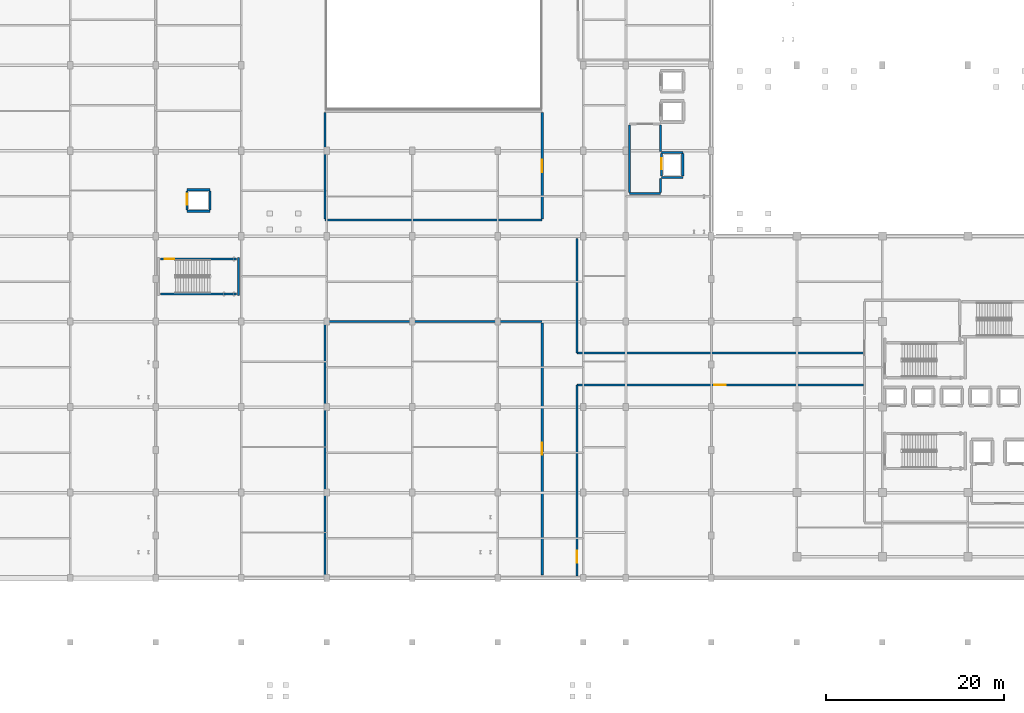
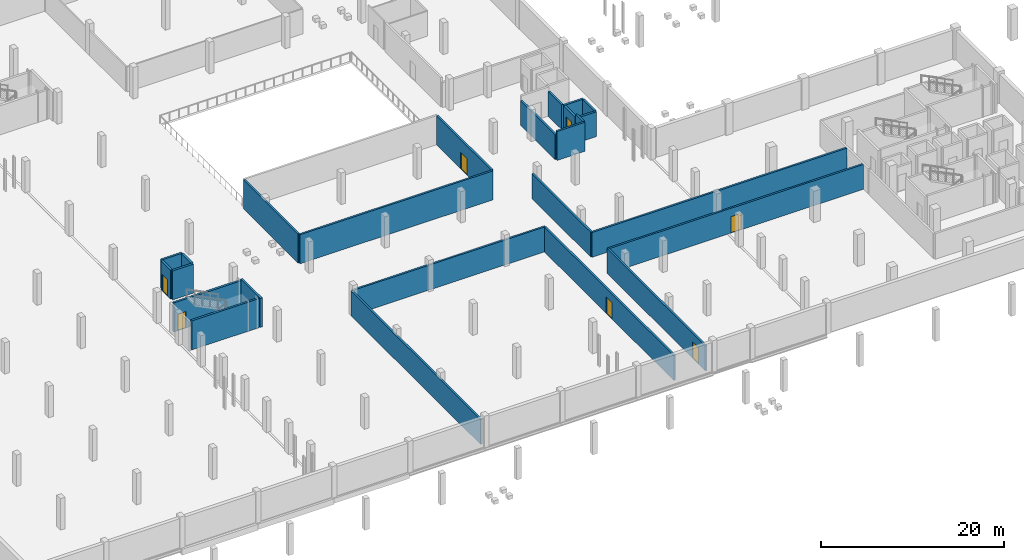
# One storey, part 31 of 47: 25 walls, 7 doors, 7 openings.
"""IFC4 building model written with IfcOpenShell, lengths in metres."""

from ifc_helpers import new_model, si_unit, direction, frame, frame_2d, origin, place, context, subcontext, project, spatial, rectangle, extrude, material, layer, layer_set, type_object, element, fill, save


model = new_model("IFC4")

# Units and contexts
model_context = context("Model", 3, precision=1e-05, world=origin(), true_north=direction((0.0, 1.0)))
body_context = subcontext(model_context, "Body", "Model", "MODEL_VIEW")
ifc_project = project(units=[si_unit("LENGTHUNIT", "METRE"), si_unit("AREAUNIT", "SQUARE_METRE"), si_unit("VOLUMEUNIT", "CUBIC_METRE"), si_unit("PLANEANGLEUNIT", "RADIAN"), si_unit("MASSUNIT", "GRAM", prefix="KILO")], contexts=[model_context])

# Site, building, storey
site_placement = place(None, origin())
site = spatial("IfcSite", under=ifc_project, at=site_placement, CompositionType="ELEMENT")
building_placement = place(site_placement, origin())
building = spatial("IfcBuilding", under=site, at=building_placement, Name="Zevrakil Square Congress Hotel", CompositionType="ELEMENT")
storey_placement = place(building_placement, frame((0.0, 0.0, -4.199951171875)))
storey = spatial("IfcBuildingStorey", under=building, at=storey_placement, Name="B1", CompositionType="ELEMENT", Elevation=-4.199951171875)

# Walls
ifc_material_1 = material(Name="Concrete C35/45", Category="concrete")
ifc_layer_1 = layer(ifc_material_1, 0.239990234375)
ifc_layer_set_1 = layer_set([ifc_layer_1], Name="Concrete C35/45")
wall_type_1 = type_object("IfcWallType", Name="WAL-COMP-240", PredefinedType="SOLIDWALL", material=ifc_layer_set_1)
wall_1_placement = place(storey_placement, frame((108.39990234375, 50.39990234375, 0.0), z_axis=(0.0, 0.0, 1.0), x_axis=(1.0, 0.0, 0.0)))
element("IfcWall", 1, at=wall_1_placement, inside=storey, type_object=wall_type_1, Name="B1 interior partition PW-B1-0026", PredefinedType="SOLIDWALL", context=body_context, shape_type="SweptSolid", body=[
    extrude(rectangle(XDim=3.5, YDim=0.239990234375, at=frame_2d((1.75, 0.0))), origin(), (0.0, 0.0, 1.0), 3.8798828125),
])
wall_2_placement = place(storey_placement, frame((108.39990234375, 50.52490234375, 0.0), z_axis=(0.0, 0.0, 1.0), x_axis=(0.0, 1.0, 0.0)))
element("IfcWall", 2, at=wall_2_placement, inside=storey, type_object=wall_type_1, Name="B1 interior partition PW-B1-0027", PredefinedType="SOLIDWALL", context=body_context, shape_type="SweptSolid", body=[
    extrude(rectangle(XDim=7.550048828125, YDim=0.239990234375, at=frame_2d((3.77490234375, 0.0))), origin(), (0.0, 0.0, 1.0), 3.324951171875),
])
wall_3_placement = place(storey_placement, frame((111.89990234375, 50.52490234375, 0.0), z_axis=(0.0, 0.0, 1.0), x_axis=(0.0, 1.0, 0.0)))
element("IfcWall", 3, at=wall_3_placement, inside=storey, type_object=wall_type_1, Name="B1 interior partition PW-B1-0029", PredefinedType="SOLIDWALL", context=body_context, shape_type="SweptSolid", body=[
    extrude(rectangle(XDim=1.55517578125, YDim=0.239990234375, at=frame_2d((0.777587890625, 0.0))), origin(), (0.0, 0.0, 1.0), 3.8798828125),
])
wall_4_placement = place(storey_placement, frame((111.89990234375, 55.1201171875, 0.0), z_axis=(0.0, 0.0, 1.0), x_axis=(0.0, 1.0, 0.0)))
element("IfcWall", 4, at=wall_4_placement, inside=storey, type_object=wall_type_1, Name="B1 interior partition PW-B1-0030", PredefinedType="SOLIDWALL", context=body_context, shape_type="SweptSolid", body=[
    extrude(rectangle(XDim=2.954833984375, YDim=0.239990234375, at=frame_2d((1.4775390625, 0.0))), origin(), (0.0, 0.0, 1.0), 3.324951171875),
])
wall_5_placement = place(storey_placement, frame((74.199951171875, 36.0, 0.0), z_axis=(0.0, 0.0, 1.0), x_axis=(1.0, 0.0, 0.0)))
element("IfcWall", 5, at=wall_5_placement, inside=storey, type_object=wall_type_1, Name="B1 interior partition PW-B1-0105", PredefinedType="SOLIDWALL", context=body_context, shape_type="SweptSolid", body=[
    extrude(rectangle(XDim=24.400146484375, YDim=0.239990234375, at=frame_2d((12.2001953125, 0.0))), origin(), (0.0, 0.0, 1.0), 3.324951171875),
])
wall_6_placement = place(storey_placement, frame((74.199951171875, 7.574951171875, 0.0), z_axis=(0.0, 0.0, 1.0), x_axis=(0.0, 1.0, 0.0)))
element("IfcWall", 6, at=wall_6_placement, inside=storey, type_object=wall_type_1, Name="B1 interior partition PW-B1-0106", PredefinedType="SOLIDWALL", context=body_context, shape_type="SweptSolid", body=[
    extrude(rectangle(XDim=28.300048828125, YDim=0.239990234375, at=frame_2d((14.14990234375, 0.0))), origin(), (0.0, 0.0, 1.0), 3.324951171875),
])

# Wall, opening, door
wall_7_placement = place(storey_placement, frame((98.60009765625, 7.574951171875, 0.0), z_axis=(0.0, 0.0, 1.0), x_axis=(0.0, 1.0, 0.0)))
wall_7 = element("IfcWall", 7, at=wall_7_placement, inside=storey, type_object=wall_type_1, Name="B1 interior partition PW-B1-0107", PredefinedType="SOLIDWALL", context=body_context, shape_type="SweptSolid", body=[
    extrude(rectangle(XDim=28.300048828125, YDim=0.239990234375, at=frame_2d((14.14990234375, 0.0))), origin(), (0.0, 0.0, 1.0), 3.324951171875),
])
opening_1_placement = place(wall_7_placement, frame((13.5, 0.0, 0.0)))
opening_1 = element("IfcOpeningElement", 8, at=opening_1_placement, cuts=wall_7, Name="Opening ID-08", PredefinedType="OPENING", context=body_context, shape_type="SweptSolid", body=[
    extrude(rectangle(XDim=1.300048828125, YDim=2.199951171875, at=frame_2d((0.64990234375, 1.10009765625))), frame((0.0, 0.1298828125, 0.0), z_axis=(0.0, -1.0, 0.0), x_axis=(1.0, 0.0, 0.0)), (0.0, 0.0, 1.0), 0.260009765625),
])
ifc_material_2 = material(Name="Service Corridor Leaf-and-Half Door")
door_type_1 = type_object("IfcDoorType", Name="DOR-BOH-130", OperationType="NOTDEFINED", PredefinedType="DOOR", material=ifc_material_2)
door_1_placement = place(opening_1_placement, origin())
door_1 = element("IfcDoor", 9, at=door_1_placement, inside=storey, type_object=door_type_1, Name="B1 interior door 38", OperationType="SINGLE_SWING_RIGHT", OverallHeight=2.199951171875, OverallWidth=1.300048828125, PredefinedType="DOOR", context=body_context, shape_type="SweptSolid", body=[
    extrude(rectangle(XDim=1.300048828125, YDim=2.199951171875, at=frame_2d((0.64990234375, 1.10009765625))), frame((0.0, 0.02490234375, 0.0), z_axis=(0.0, -1.0, 0.0), x_axis=(1.0, 0.0, 0.0)), (0.0, 0.0, 1.0), 0.050048828125),
])
fill(opening_1, door_1)

# Walls
wall_8_placement = place(storey_placement, frame((74.199951171875, 47.39990234375, 0.0), z_axis=(0.0, 0.0, 1.0), x_axis=(1.0, 0.0, 0.0)))
element("IfcWall", 10, at=wall_8_placement, inside=storey, type_object=wall_type_1, Name="B1 interior partition PW-B1-0108", PredefinedType="SOLIDWALL", context=body_context, shape_type="SweptSolid", body=[
    extrude(rectangle(XDim=24.400146484375, YDim=0.239990234375, at=frame_2d((12.2001953125, 0.0))), origin(), (0.0, 0.0, 1.0), 3.8798828125),
])
wall_9_placement = place(storey_placement, frame((74.199951171875, 47.52490234375, 0.0), z_axis=(0.0, 0.0, 1.0), x_axis=(0.0, 1.0, 0.0)))
element("IfcWall", 11, at=wall_9_placement, inside=storey, type_object=wall_type_1, Name="B1 interior partition PW-B1-0110", PredefinedType="SOLIDWALL", context=body_context, shape_type="SweptSolid", body=[
    extrude(rectangle(XDim=11.9501953125, YDim=0.239990234375, at=frame_2d((5.97509765625, 0.0))), origin(), (0.0, 0.0, 1.0), 3.8798828125),
])

# Wall, opening, door
wall_10_placement = place(storey_placement, frame((98.60009765625, 47.52490234375, 0.0), z_axis=(0.0, 0.0, 1.0), x_axis=(0.0, 1.0, 0.0)))
wall_10 = element("IfcWall", 12, at=wall_10_placement, inside=storey, type_object=wall_type_1, Name="B1 interior partition PW-B1-0111", PredefinedType="SOLIDWALL", context=body_context, shape_type="SweptSolid", body=[
    extrude(rectangle(XDim=11.9501953125, YDim=0.239990234375, at=frame_2d((5.97509765625, 0.0))), origin(), (0.0, 0.0, 1.0), 3.8798828125),
])
opening_2_placement = place(wall_10_placement, frame((5.27490234375, 0.0, 0.0)))
opening_2 = element("IfcOpeningElement", 13, at=opening_2_placement, cuts=wall_10, Name="Opening ID-09", PredefinedType="OPENING", context=body_context, shape_type="SweptSolid", body=[
    extrude(rectangle(XDim=1.39990234375, YDim=2.199951171875, at=frame_2d((0.699951171875, 1.10009765625))), frame((0.0, 0.1298828125, 0.0), z_axis=(0.0, -1.0, 0.0), x_axis=(1.0, 0.0, 0.0)), (0.0, 0.0, 1.0), 0.260009765625),
])
ifc_material_3 = material(Name="Steel S355 Louvred Plant Fire Door", Category="steel")
door_type_2 = type_object("IfcDoorType", Name="DOR-PLANT-140", OperationType="NOTDEFINED", PredefinedType="DOOR", material=ifc_material_3)
door_2_placement = place(opening_2_placement, origin())
door_2 = element("IfcDoor", 14, at=door_2_placement, inside=storey, type_object=door_type_2, Name="B1 interior door 39", OperationType="SINGLE_SWING_LEFT", OverallHeight=2.199951171875, OverallWidth=1.39990234375, PredefinedType="DOOR", context=body_context, shape_type="SweptSolid", body=[
    extrude(rectangle(XDim=1.39990234375, YDim=2.199951171875, at=frame_2d((0.699951171875, 1.10009765625))), frame((0.0, 0.02490234375, 0.0), z_axis=(0.0, -1.0, 0.0), x_axis=(1.0, 0.0, 0.0)), (0.0, 0.0, 1.0), 0.050048828125),
])
fill(opening_2, door_2)

wall_11_placement = place(storey_placement, frame((102.5, 7.449951171875, 0.0), z_axis=(0.0, 0.0, 1.0), x_axis=(0.0, 1.0, 0.0)))
wall_11 = element("IfcWall", 15, at=wall_11_placement, inside=storey, type_object=wall_type_1, Name="B1 interior partition PW-B1-0117", PredefinedType="SOLIDWALL", context=body_context, shape_type="SweptSolid", body=[
    extrude(rectangle(XDim=21.449951171875, YDim=0.239990234375, at=frame_2d((10.72509765625, 0.0))), origin(), (0.0, 0.0, 1.0), 3.324951171875),
])
opening_3_placement = place(wall_11_placement, frame((1.5, 0.0, 0.0)))
opening_3 = element("IfcOpeningElement", 16, at=opening_3_placement, cuts=wall_11, Name="Opening ID-08", PredefinedType="OPENING", context=body_context, shape_type="SweptSolid", body=[
    extrude(rectangle(XDim=1.300048828125, YDim=2.199951171875, at=frame_2d((0.64990234375, 1.10009765625))), frame((0.0, 0.1298828125, 0.0), z_axis=(0.0, -1.0, 0.0), x_axis=(1.0, 0.0, 0.0)), (0.0, 0.0, 1.0), 0.260009765625),
])
door_3_placement = place(opening_3_placement, origin())
door_3 = element("IfcDoor", 17, at=door_3_placement, inside=storey, type_object=door_type_1, Name="B1 interior door 42", OperationType="SINGLE_SWING_RIGHT", OverallHeight=2.199951171875, OverallWidth=1.300048828125, PredefinedType="DOOR", context=body_context, shape_type="SweptSolid", body=[
    extrude(rectangle(XDim=1.300048828125, YDim=2.199951171875, at=frame_2d((0.64990234375, 1.10009765625))), frame((0.0, 0.02490234375, 0.0), z_axis=(0.0, -1.0, 0.0), x_axis=(1.0, 0.0, 0.0)), (0.0, 0.0, 1.0), 0.050048828125),
])
fill(opening_3, door_3)

# Wall
wall_12_placement = place(storey_placement, frame((102.5, 32.5, 0.0), z_axis=(0.0, 0.0, 1.0), x_axis=(0.0, 1.0, 0.0)))
element("IfcWall", 18, at=wall_12_placement, inside=storey, type_object=wall_type_1, Name="B1 interior partition PW-B1-0118", PredefinedType="SOLIDWALL", context=body_context, shape_type="SweptSolid", body=[
    extrude(rectangle(XDim=12.85009765625, YDim=0.239990234375, at=frame_2d((6.425048828125, 0.0))), origin(), (0.0, 0.0, 1.0), 3.324951171875),
])

# Wall, opening, door
wall_13_placement = place(storey_placement, frame((102.5, 28.89990234375, 0.0), z_axis=(0.0, 0.0, 1.0), x_axis=(1.0, 0.0, 0.0)))
wall_13 = element("IfcWall", 19, at=wall_13_placement, inside=storey, type_object=wall_type_1, Name="B1 interior partition PW-B1-0119", PredefinedType="SOLIDWALL", context=body_context, shape_type="SweptSolid", body=[
    extrude(rectangle(XDim=32.175048828125, YDim=0.239990234375, at=frame_2d((16.08740234375, 0.0))), origin(), (0.0, 0.0, 1.0), 3.31494140625),
])
opening_4_placement = place(wall_13_placement, frame((15.4375, 0.0, 0.0)))
opening_4 = element("IfcOpeningElement", 20, at=opening_4_placement, cuts=wall_13, Name="Opening ID-08", PredefinedType="OPENING", context=body_context, shape_type="SweptSolid", body=[
    extrude(rectangle(XDim=1.300048828125, YDim=2.199951171875, at=frame_2d((0.64990234375, 1.10009765625))), frame((0.0, 0.1298828125, 0.0), z_axis=(0.0, -1.0, 0.0), x_axis=(1.0, 0.0, 0.0)), (0.0, 0.0, 1.0), 0.260009765625),
])
door_4_placement = place(opening_4_placement, origin())
door_4 = element("IfcDoor", 21, at=door_4_placement, inside=storey, type_object=door_type_1, Name="B1 interior door 43", OperationType="SINGLE_SWING_LEFT", OverallHeight=2.199951171875, OverallWidth=1.300048828125, PredefinedType="DOOR", context=body_context, shape_type="SweptSolid", body=[
    extrude(rectangle(XDim=1.300048828125, YDim=2.199951171875, at=frame_2d((0.64990234375, 1.10009765625))), frame((0.0, 0.02490234375, 0.0), z_axis=(0.0, -1.0, 0.0), x_axis=(1.0, 0.0, 0.0)), (0.0, 0.0, 1.0), 0.050048828125),
])
fill(opening_4, door_4)

# Walls
wall_14_placement = place(storey_placement, frame((102.5, 32.5, 0.0), z_axis=(0.0, 0.0, 1.0), x_axis=(1.0, 0.0, 0.0)))
element("IfcWall", 22, at=wall_14_placement, inside=storey, type_object=wall_type_1, Name="B1 interior partition PW-B1-0120", PredefinedType="SOLIDWALL", context=body_context, shape_type="SweptSolid", body=[
    extrude(rectangle(XDim=32.175048828125, YDim=0.239990234375, at=frame_2d((16.08740234375, 0.0))), origin(), (0.0, 0.0, 1.0), 3.31494140625),
])
ifc_material_4 = material(Name="Concrete C40/50", Category="concrete")
ifc_layer_2 = layer(ifc_material_4, 0.260009765625)
ifc_layer_set_2 = layer_set([ifc_layer_2], Name="Concrete C40/50")
wall_type_2 = type_object("IfcWallType", Name="WAL-SHAFT-260", PredefinedType="SHEAR", material=ifc_layer_set_2)
wall_15_placement = place(storey_placement, frame((64.4951171875, 38.93994140625, 0.0), z_axis=(0.0, 0.0, 1.0), x_axis=(0.0, 1.0, 0.0)))
element("IfcWall", 23, at=wall_15_placement, inside=storey, type_object=wall_type_2, Name="B1 ST04 stair shaft E wall", PredefinedType="SHEAR", context=body_context, shape_type="SweptSolid", body=[
    extrude(rectangle(XDim=4.27001953125, YDim=0.260009765625, at=frame_2d((2.135009765625, 0.0))), origin(), (0.0, 0.0, 1.0), 3.8798828125),
])
wall_16_placement = place(storey_placement, frame((55.739990234375, 39.10498046875, 0.0), z_axis=(0.0, 0.0, 1.0), x_axis=(1.0, 0.0, 0.0)))
element("IfcWall", 24, at=wall_16_placement, inside=storey, type_object=wall_type_2, Name="B1 ST04 stair shaft S wall", PredefinedType="SHEAR", context=body_context, shape_type="SweptSolid", body=[
    extrude(rectangle(XDim=8.52001953125, YDim=0.260009765625, at=frame_2d((4.260009765625, 0.0))), origin(), (0.0, 0.0, 1.0), 3.8798828125),
])

# Wall, opening, door
wall_17_placement = place(storey_placement, frame((55.739990234375, 43.044921875, 0.0), z_axis=(0.0, 0.0, 1.0), x_axis=(1.0, 0.0, 0.0)))
wall_17 = element("IfcWall", 25, at=wall_17_placement, inside=storey, type_object=wall_type_2, Name="B1 ST04 stair shaft N wall", PredefinedType="SHEAR", context=body_context, shape_type="SweptSolid", body=[
    extrude(rectangle(XDim=8.52001953125, YDim=0.260009765625, at=frame_2d((4.260009765625, 0.0))), origin(), (0.0, 0.0, 1.0), 3.8798828125),
])
opening_5_placement = place(wall_17_placement, frame((0.449951171875, 0.0, 0.0)))
opening_5 = element("IfcOpeningElement", 26, at=opening_5_placement, cuts=wall_17, Name="Opening SD-ST04", PredefinedType="OPENING", context=body_context, shape_type="SweptSolid", body=[
    extrude(rectangle(XDim=1.10009765625, YDim=2.199951171875, at=frame_2d((0.550048828125, 1.10009765625))), frame((0.0, 0.14013671875, 0.0), z_axis=(0.0, -1.0, 0.0), x_axis=(1.0, 0.0, 0.0)), (0.0, 0.0, 1.0), 0.280029296875),
])
ifc_material_5 = material(Name="Steel S355 Fire-Rated Door", Category="steel")
door_type_3 = type_object("IfcDoorType", Name="DOR-STAIR-FD90-110", OperationType="NOTDEFINED", PredefinedType="DOOR", material=ifc_material_5)
door_5_placement = place(opening_5_placement, origin())
door_5 = element("IfcDoor", 27, at=door_5_placement, inside=storey, type_object=door_type_3, Name="B1 ST04 protected stair fire door", OperationType="SINGLE_SWING_LEFT", OverallHeight=2.199951171875, OverallWidth=1.10009765625, PredefinedType="DOOR", context=body_context, shape_type="SweptSolid", body=[
    extrude(rectangle(XDim=1.10009765625, YDim=2.199951171875, at=frame_2d((0.550048828125, 1.10009765625))), frame((0.0, 0.02490234375, 0.0), z_axis=(0.0, -1.0, 0.0), x_axis=(1.0, 0.0, 0.0)), (0.0, 0.0, 1.0), 0.050048828125),
])
fill(opening_5, door_5)

# Walls
for number, where, z_axis, x_axis, name in (
    (28, (112.0, 52.199951171875, 0.0), (0.0, 0.0, 1.0), (1.0, 0.0, 0.0), "B1 FFL2 lift shaft wall"),
    (29, (112.0, 55.0, 0.0), (0.0, 0.0, 1.0), (1.0, 0.0, 0.0), "B1 FFL2 lift shaft wall"),
):
    element("IfcWall", number, at=place(storey_placement, frame(where, z_axis=z_axis, x_axis=x_axis)), inside=storey, type_object=wall_type_2, Name=name, PredefinedType="SHEAR", context=body_context, shape_type="SweptSolid", body=[
        extrude(rectangle(XDim=2.39990234375, YDim=0.260009765625, at=frame_2d((1.199951171875, 0.0))), origin(), (0.0, 0.0, 1.0), 3.324951171875),
    ])

# Wall, opening, door
wall_18_placement = place(storey_placement, frame((112.0, 52.340087890625, 0.0), z_axis=(0.0, 0.0, 1.0), x_axis=(0.0, 1.0, 0.0)))
wall_18 = element("IfcWall", 30, at=wall_18_placement, inside=storey, type_object=wall_type_2, Name="B1 FFL2 lift shaft wall", PredefinedType="SHEAR", context=body_context, shape_type="SweptSolid", body=[
    extrude(rectangle(XDim=2.52001953125, YDim=0.260009765625, at=frame_2d((1.260009765625, 0.0))), origin(), (0.0, 0.0, 1.0), 3.324951171875),
])
opening_6_placement = place(wall_18_placement, frame((0.800048828125, 0.0, 0.0)))
opening_6 = element("IfcOpeningElement", 31, at=opening_6_placement, cuts=wall_18, Name="Opening LD-FFL2", PredefinedType="OPENING", context=body_context, shape_type="SweptSolid", body=[
    extrude(rectangle(XDim=1.199951171875, YDim=2.199951171875, at=frame_2d((0.60009765625, 1.10009765625))), frame((0.0, 0.14013671875, 0.0), z_axis=(0.0, -1.0, 0.0), x_axis=(1.0, 0.0, 0.0)), (0.0, 0.0, 1.0), 0.280029296875),
])
ifc_material_6 = material(Name="Stainless Steel Sliding Lift Landing Door", Category="steel")
door_type_4 = type_object("IfcDoorType", Name="DOR-LIFT-LD120", OperationType="NOTDEFINED", PredefinedType="DOOR", material=ifc_material_6)
door_6_placement = place(opening_6_placement, origin())
door_6 = element("IfcDoor", 32, at=door_6_placement, inside=storey, type_object=door_type_4, Name="B1 FFL2 sliding lift landing door", OperationType="SLIDING_TO_LEFT", OverallHeight=2.199951171875, OverallWidth=1.199951171875, PredefinedType="DOOR", context=body_context, shape_type="SweptSolid", body=[
    extrude(rectangle(XDim=1.199951171875, YDim=2.199951171875, at=frame_2d((0.60009765625, 1.10009765625))), frame((0.0, 0.02490234375, 0.0), z_axis=(0.0, -1.0, 0.0), x_axis=(1.0, 0.0, 0.0)), (0.0, 0.0, 1.0), 0.050048828125),
])
fill(opening_6, door_6)

# Walls
wall_19_placement = place(storey_placement, frame((114.39990234375, 52.340087890625, 0.0), z_axis=(0.0, 0.0, 1.0), x_axis=(0.0, 1.0, 0.0)))
element("IfcWall", 33, at=wall_19_placement, inside=storey, type_object=wall_type_2, Name="B1 FFL2 lift shaft wall", PredefinedType="SHEAR", context=body_context, shape_type="SweptSolid", body=[
    extrude(rectangle(XDim=2.52001953125, YDim=0.260009765625, at=frame_2d((1.260009765625, 0.0))), origin(), (0.0, 0.0, 1.0), 3.324951171875),
])
for number, where, z_axis, x_axis, name in (
    (34, (58.699951171875, 48.39990234375, 0.0), (0.0, 0.0, 1.0), (1.0, 0.0, 0.0), "B1 CL3 lift shaft wall"),
    (35, (58.699951171875, 50.800048828125, 0.0), (0.0, 0.0, 1.0), (1.0, 0.0, 0.0), "B1 CL3 lift shaft wall"),
):
    element("IfcWall", number, at=place(storey_placement, frame(where, z_axis=z_axis, x_axis=x_axis)), inside=storey, type_object=wall_type_2, Name=name, PredefinedType="SHEAR", context=body_context, shape_type="SweptSolid", body=[
        extrude(rectangle(XDim=2.60009765625, YDim=0.260009765625, at=frame_2d((1.300048828125, 0.0))), origin(), (0.0, 0.0, 1.0), 3.8798828125),
    ])

# Wall, opening, door
wall_20_placement = place(storey_placement, frame((58.699951171875, 48.5400390625, 0.0), z_axis=(0.0, 0.0, 1.0), x_axis=(0.0, 1.0, 0.0)))
wall_20 = element("IfcWall", 36, at=wall_20_placement, inside=storey, type_object=wall_type_2, Name="B1 CL3 lift shaft wall", PredefinedType="SHEAR", context=body_context, shape_type="SweptSolid", body=[
    extrude(rectangle(XDim=2.119873046875, YDim=0.260009765625, at=frame_2d((1.06005859375, 0.0))), origin(), (0.0, 0.0, 1.0), 3.8798828125),
])
opening_7_placement = place(wall_20_placement, frame((0.60009765625, 0.0, 0.0)))
opening_7 = element("IfcOpeningElement", 37, at=opening_7_placement, cuts=wall_20, Name="Opening LD-CL3", PredefinedType="OPENING", context=body_context, shape_type="SweptSolid", body=[
    extrude(rectangle(XDim=1.199951171875, YDim=2.199951171875, at=frame_2d((0.60009765625, 1.10009765625))), frame((0.0, 0.14013671875, 0.0), z_axis=(0.0, -1.0, 0.0), x_axis=(1.0, 0.0, 0.0)), (0.0, 0.0, 1.0), 0.280029296875),
])
door_7_placement = place(opening_7_placement, origin())
door_7 = element("IfcDoor", 38, at=door_7_placement, inside=storey, type_object=door_type_4, Name="B1 CL3 sliding lift landing door", OperationType="SLIDING_TO_RIGHT", OverallHeight=2.199951171875, OverallWidth=1.199951171875, PredefinedType="DOOR", context=body_context, shape_type="SweptSolid", body=[
    extrude(rectangle(XDim=1.199951171875, YDim=2.199951171875, at=frame_2d((0.60009765625, 1.10009765625))), frame((0.0, 0.02490234375, 0.0), z_axis=(0.0, -1.0, 0.0), x_axis=(1.0, 0.0, 0.0)), (0.0, 0.0, 1.0), 0.050048828125),
])
fill(opening_7, door_7)

# Wall
wall_21_placement = place(storey_placement, frame((61.300048828125, 48.5400390625, 0.0), z_axis=(0.0, 0.0, 1.0), x_axis=(0.0, 1.0, 0.0)))
element("IfcWall", 39, at=wall_21_placement, inside=storey, type_object=wall_type_2, Name="B1 CL3 lift shaft wall", PredefinedType="SHEAR", context=body_context, shape_type="SweptSolid", body=[
    extrude(rectangle(XDim=2.119873046875, YDim=0.260009765625, at=frame_2d((1.06005859375, 0.0))), origin(), (0.0, 0.0, 1.0), 3.8798828125),
])

save(model, "model.ifc")
